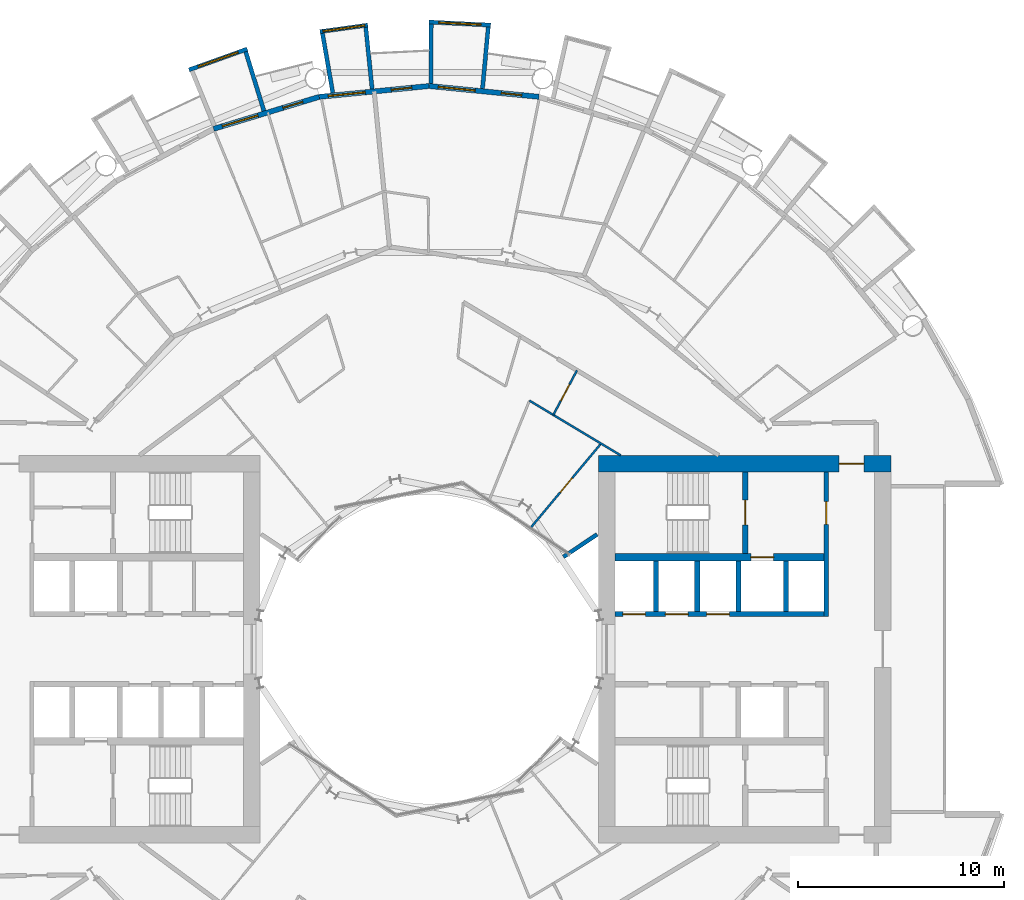
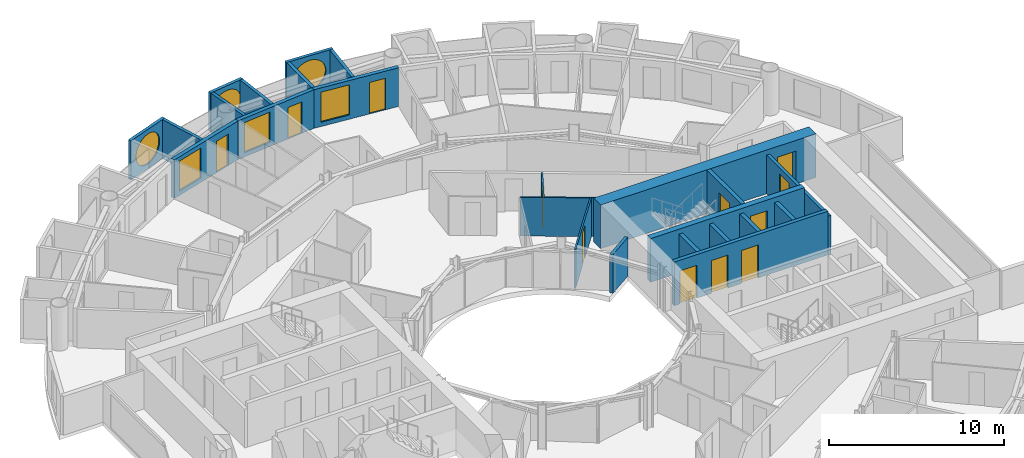
# One storey, part 20 of 26: 24 walls, 12 doors, 6 windows, 18 openings.
"""IFC4 building model written with IfcOpenShell, lengths in metres."""

from ifc_helpers import new_model, si_unit, direction, frame, frame_2d, origin, place, context, subcontext, project, spatial, rectangle, circle, extrude, material, layer, layer_set, type_object, element, fill, save


model = new_model("IFC4")

# Units and contexts
model_context = context("Model", 3, precision=1e-05, world=origin(), true_north=direction((0.0, 1.0)))
body_context = subcontext(model_context, "Body", "Model", "MODEL_VIEW")
ifc_project = project(units=[si_unit("LENGTHUNIT", "METRE"), si_unit("AREAUNIT", "SQUARE_METRE"), si_unit("VOLUMEUNIT", "CUBIC_METRE"), si_unit("PLANEANGLEUNIT", "RADIAN"), si_unit("MASSUNIT", "GRAM", prefix="KILO")], contexts=[model_context])

# Site, building, storey
site_placement = place(None, origin())
site = spatial("IfcSite", under=ifc_project, at=site_placement, CompositionType="ELEMENT")
building_placement = place(site_placement, origin())
building = spatial("IfcBuilding", under=site, at=building_placement, Name="Maasbend Ring Residences", CompositionType="ELEMENT")
storey_placement = place(building_placement, frame((0.0, 0.0, 50.25)))
storey = spatial("IfcBuildingStorey", under=building, at=storey_placement, Name="L14", CompositionType="ELEMENT", Elevation=50.25)

# Wall, openings, doors
ifc_material_1 = material(Name="Concrete C70/85", Category="concrete")
ifc_layer_1 = layer(ifc_material_1, 0.25)
ifc_layer_set_1 = layer_set([ifc_layer_1], Name="Concrete C70/85")
wall_type_1 = type_object("IfcWallType", Name="CORE WALL 250 C70/85", PredefinedType="SHEAR", material=ifc_layer_set_1)
wall_1_placement = place(storey_placement, frame((9.0, 1.699951171875, 0.0), z_axis=(0.0, 0.0, 1.0), x_axis=(1.0, 0.0, 0.0)))
wall_1 = element("IfcWall", 1, at=wall_1_placement, inside=storey, type_object=wall_type_1, Name="L14 core E wall SPN", PredefinedType="SHEAR", context=body_context, shape_type="SweptSolid", body=[
    extrude(rectangle(XDim=10.14990234375, YDim=0.25, at=frame_2d((5.074951171875, 0.0))), origin(), (0.0, 0.0, 1.0), 3.050048828125),
])
opening_1_placement = place(wall_1_placement, frame((0.387451171875, 0.0, 0.0)))
opening_1 = element("IfcOpeningElement", 2, at=opening_1_placement, cuts=wall_1, Name="Opening LD-E1401", PredefinedType="OPENING", context=body_context, shape_type="SweptSolid", body=[
    extrude(rectangle(XDim=1.10009765625, YDim=2.300048828125, at=frame_2d((0.550048828125, 1.14990234375))), frame((0.0, 0.135009765625, 0.0), z_axis=(0.0, -1.0, 0.0), x_axis=(1.0, 0.0, 0.0)), (0.0, 0.0, 1.0), 0.27001953125),
])
opening_2_placement = place(wall_1_placement, frame((2.449951171875, 0.0, 0.0)))
opening_2 = element("IfcOpeningElement", 3, at=opening_2_placement, cuts=wall_1, Name="Opening LD-E1402", PredefinedType="OPENING", context=body_context, shape_type="SweptSolid", body=[
    extrude(rectangle(XDim=1.10009765625, YDim=2.300048828125, at=frame_2d((0.550048828125, 1.14990234375))), frame((0.0, 0.135009765625, 0.0), z_axis=(0.0, -1.0, 0.0), x_axis=(1.0, 0.0, 0.0)), (0.0, 0.0, 1.0), 0.27001953125),
])
opening_3_placement = place(wall_1_placement, frame((4.449951171875, 0.0, 0.0)))
opening_3 = element("IfcOpeningElement", 4, at=opening_3_placement, cuts=wall_1, Name="Opening LD-E1403", PredefinedType="OPENING", context=body_context, shape_type="SweptSolid", body=[
    extrude(rectangle(XDim=1.10009765625, YDim=2.300048828125, at=frame_2d((0.550048828125, 1.14990234375))), frame((0.0, 0.135009765625, 0.0), z_axis=(0.0, -1.0, 0.0), x_axis=(1.0, 0.0, 0.0)), (0.0, 0.0, 1.0), 0.27001953125),
])
ifc_material_2 = material(Name="Stainless steel 316", Category="steel")
door_type_1 = type_object("IfcDoorType", Name="LANDING DOOR 1100 X 2300 FD60", OperationType="DOUBLE_DOOR_SLIDING", PredefinedType="DOOR", material=ifc_material_2)
door_1_placement = place(opening_1_placement, origin())
door_1 = element("IfcDoor", 5, at=door_1_placement, inside=storey, type_object=door_type_1, Name="Landing door LR-E1 L14", OperationType="DOUBLE_DOOR_SLIDING", OverallHeight=2.300048828125, OverallWidth=1.10009765625, PredefinedType="DOOR", context=body_context, shape_type="SweptSolid", body=[
    extrude(rectangle(XDim=1.10009765625, YDim=2.300048828125, at=frame_2d((0.550048828125, 1.14990234375))), frame((0.0, 0.02490234375, 0.0), z_axis=(0.0, -1.0, 0.0), x_axis=(1.0, 0.0, 0.0)), (0.0, 0.0, 1.0), 0.050048828125),
])
fill(opening_1, door_1)
door_2_placement = place(opening_2_placement, origin())
door_2 = element("IfcDoor", 6, at=door_2_placement, inside=storey, type_object=door_type_1, Name="Landing door LR-E2 L14", OperationType="DOUBLE_DOOR_SLIDING", OverallHeight=2.300048828125, OverallWidth=1.10009765625, PredefinedType="DOOR", context=body_context, shape_type="SweptSolid", body=[
    extrude(rectangle(XDim=1.10009765625, YDim=2.300048828125, at=frame_2d((0.550048828125, 1.14990234375))), frame((0.0, 0.02490234375, 0.0), z_axis=(0.0, -1.0, 0.0), x_axis=(1.0, 0.0, 0.0)), (0.0, 0.0, 1.0), 0.050048828125),
])
fill(opening_2, door_2)
door_3_placement = place(opening_3_placement, origin())
door_3 = element("IfcDoor", 7, at=door_3_placement, inside=storey, type_object=door_type_1, Name="Landing door LR-E3 L14", OperationType="DOUBLE_DOOR_SLIDING", OverallHeight=2.300048828125, OverallWidth=1.10009765625, PredefinedType="DOOR", context=body_context, shape_type="SweptSolid", body=[
    extrude(rectangle(XDim=1.10009765625, YDim=2.300048828125, at=frame_2d((0.550048828125, 1.14990234375))), frame((0.0, 0.02490234375, 0.0), z_axis=(0.0, -1.0, 0.0), x_axis=(1.0, 0.0, 0.0)), (0.0, 0.0, 1.0), 0.050048828125),
])
fill(opening_3, door_3)

# Wall, opening, door
wall_2_placement = place(storey_placement, frame((15.324951171875, 4.64990234375, 0.0), z_axis=(0.0, 0.0, 1.0), x_axis=(0.0, 1.0, 0.0)))
wall_2 = element("IfcWall", 8, at=wall_2_placement, inside=storey, type_object=wall_type_1, Name="L14 core E wall STEN", PredefinedType="SHEAR", context=body_context, shape_type="SweptSolid", body=[
    extrude(rectangle(XDim=3.9501953125, YDim=0.25, at=frame_2d((1.97509765625, 0.0))), origin(), (0.0, 0.0, 1.0), 3.050048828125),
])
opening_4_placement = place(wall_2_placement, frame((1.375, 0.0, 0.0)))
opening_4 = element("IfcOpeningElement", 9, at=opening_4_placement, cuts=wall_2, Name="Opening D-E1410", PredefinedType="OPENING", context=body_context, shape_type="SweptSolid", body=[
    extrude(rectangle(XDim=1.199951171875, YDim=2.300048828125, at=frame_2d((0.60009765625, 1.14990234375))), frame((0.0, 0.135009765625, 0.0), z_axis=(0.0, -1.0, 0.0), x_axis=(1.0, 0.0, 0.0)), (0.0, 0.0, 1.0), 0.27001953125),
])
ifc_material_3 = material(Name="Steel, powder coated", Category="steel")
door_type_2 = type_object("IfcDoorType", Name="STAIR DOOR 1200 X 2300 FD60", OperationType="NOTDEFINED", PredefinedType="DOOR", material=ifc_material_3)
door_4_placement = place(opening_4_placement, origin())
door_4 = element("IfcDoor", 10, at=door_4_placement, inside=storey, type_object=door_type_2, Name="Stair door ST-E L14", OperationType="SINGLE_SWING_LEFT", OverallHeight=2.300048828125, OverallWidth=1.199951171875, PredefinedType="DOOR", context=body_context, shape_type="SweptSolid", body=[
    extrude(rectangle(XDim=1.199951171875, YDim=2.300048828125, at=frame_2d((0.60009765625, 1.14990234375))), frame((0.0, 0.02490234375, 0.0), z_axis=(0.0, -1.0, 0.0), x_axis=(1.0, 0.0, 0.0)), (0.0, 0.0, 1.0), 0.050048828125),
])
fill(opening_4, door_4)

ifc_material_4 = material(Name="Concrete C70/85", Category="concrete")
ifc_layer_2 = layer(ifc_material_4, 0.375)
ifc_layer_set_2 = layer_set([ifc_layer_2], Name="Concrete C70/85")
wall_type_2 = type_object("IfcWallType", Name="CORE WALL 375 C70/85", PredefinedType="SHEAR", material=ifc_layer_set_2)
wall_3_placement = place(storey_placement, frame((9.0, 4.46240234375, 0.0), z_axis=(0.0, 0.0, 1.0), x_axis=(1.0, 0.0, 0.0)))
wall_3 = element("IfcWall", 11, at=wall_3_placement, inside=storey, type_object=wall_type_2, Name="L14 core E wall BN", PredefinedType="SHEAR", context=body_context, shape_type="SweptSolid", body=[
    extrude(rectangle(XDim=10.14990234375, YDim=0.375, at=frame_2d((5.074951171875, 0.0))), origin(), (0.0, 0.0, 1.0), 3.050048828125),
])
opening_5_placement = place(wall_3_placement, frame((6.60009765625, 0.0, 0.0)))
opening_5 = element("IfcOpeningElement", 12, at=opening_5_placement, cuts=wall_3, Name="Opening LD-E1404", PredefinedType="OPENING", context=body_context, shape_type="SweptSolid", body=[
    extrude(rectangle(XDim=1.10009765625, YDim=2.300048828125, at=frame_2d((0.550048828125, 1.14990234375))), frame((0.0, 0.197509765625, 0.0), z_axis=(0.0, -1.0, 0.0), x_axis=(1.0, 0.0, 0.0)), (0.0, 0.0, 1.0), 0.39501953125),
])
door_5_placement = place(opening_5_placement, origin())
door_5 = element("IfcDoor", 13, at=door_5_placement, inside=storey, type_object=door_type_1, Name="Landing door FF-E L14", OperationType="DOUBLE_DOOR_SLIDING", OverallHeight=2.300048828125, OverallWidth=1.10009765625, PredefinedType="DOOR", context=body_context, shape_type="SweptSolid", body=[
    extrude(rectangle(XDim=1.10009765625, YDim=2.300048828125, at=frame_2d((0.550048828125, 1.14990234375))), frame((0.0, 0.02490234375, 0.0), z_axis=(0.0, -1.0, 0.0), x_axis=(1.0, 0.0, 0.0)), (0.0, 0.0, 1.0), 0.050048828125),
])
fill(opening_5, door_5)

ifc_material_5 = material(Name="Concrete C70/85", Category="concrete")
ifc_layer_3 = layer(ifc_material_5, 0.800048828125)
ifc_layer_set_3 = layer_set([ifc_layer_3], Name="Concrete C70/85")
wall_type_3 = type_object("IfcWallType", Name="CORE WALL 800 C70/85", PredefinedType="SHEAR", material=ifc_layer_set_3)
wall_4_placement = place(storey_placement, frame((22.39990234375, 9.0, 0.0), z_axis=(0.0, 0.0, 1.0), x_axis=(-1.0, 0.0, 0.0)))
wall_4 = element("IfcWall", 14, at=wall_4_placement, inside=storey, type_object=wall_type_3, Name="L14 core E wall PN", PredefinedType="SHEAR", context=body_context, shape_type="SweptSolid", body=[
    extrude(rectangle(XDim=14.199951171875, YDim=0.800048828125, at=frame_2d((7.10009765625, 0.0))), origin(), (0.0, 0.0, 1.0), 3.050048828125),
])
opening_6_placement = place(wall_4_placement, frame((1.324951171875, 0.0, 0.0)))
opening_6 = element("IfcOpeningElement", 15, at=opening_6_placement, cuts=wall_4, Name="Opening D-E1414", PredefinedType="OPENING", context=body_context, shape_type="SweptSolid", body=[
    extrude(rectangle(XDim=1.199951171875, YDim=2.300048828125, at=frame_2d((0.60009765625, 1.14990234375))), frame((0.0, 0.41015625, 0.0), z_axis=(0.0, -1.0, 0.0), x_axis=(1.0, 0.0, 0.0)), (0.0, 0.0, 1.0), 0.820068359375),
])
ifc_material_6 = material(Name="Steel, powder coated", Category="steel")
door_type_3 = type_object("IfcDoorType", Name="CORRIDOR DOOR 1200 X 2300 FD30S", OperationType="NOTDEFINED", PredefinedType="DOOR", material=ifc_material_6)
door_6_placement = place(opening_6_placement, origin())
door_6 = element("IfcDoor", 16, at=door_6_placement, inside=storey, type_object=door_type_3, Name="Corridor door L14", OperationType="SINGLE_SWING_RIGHT", OverallHeight=2.300048828125, OverallWidth=1.199951171875, PredefinedType="DOOR", context=body_context, shape_type="SweptSolid", body=[
    extrude(rectangle(XDim=1.199951171875, YDim=2.300048828125, at=frame_2d((0.60009765625, 1.14990234375))), frame((0.0, 0.02490234375, 0.0), z_axis=(0.0, -1.0, 0.0), x_axis=(1.0, 0.0, 0.0)), (0.0, 0.0, 1.0), 0.050048828125),
])
fill(opening_6, door_6)

# Wall, opening, window
ifc_material_7 = material(Name="Pale anodised aluminium panel", Category="aluminium")
ifc_layer_4 = layer(ifc_material_7, 0.199951171875)
ifc_layer_set_4 = layer_set([ifc_layer_4], Name="EW-BOX")
wall_type_4 = type_object("IfcWallType", Name="EW-BOX", PredefinedType="SOLIDWALL", material=ifc_layer_set_4)
wall_5_placement = place(storey_placement, frame((2.985107421875, 30.2529296875, -0.030029296875), z_axis=(0.0, 0.0, 1.0), x_axis=(-0.998794083011, 0.049095618353, 0.0)))
wall_5 = element("IfcWall", 17, at=wall_5_placement, inside=storey, type_object=wall_type_4, Name="Box front N10", PredefinedType="SOLIDWALL", context=body_context, shape_type="SweptSolid", body=[
    extrude(rectangle(XDim=2.99365234375, YDim=0.199951171875, at=frame_2d((1.496826171875, 0.0))), origin(), (0.0, 0.0, 1.0), 2.72998046875),
])
opening_7_placement = place(wall_5_placement, frame((0.45654296875, 0.0, 0.330078125)))
opening_7 = element("IfcOpeningElement", 18, at=opening_7_placement, cuts=wall_5, Name="Opening W-RD", PredefinedType="OPENING", context=body_context, shape_type="SweptSolid", body=[
    extrude(circle(Radius=1.0400390625, at=frame_2d((1.0400390625, 1.0400390625))), frame((0.0, 0.10986328125, 0.0), z_axis=(0.0, -1.0, 0.0), x_axis=(1.0, 0.0, 0.0)), (0.0, 0.0, 1.0), 0.219970703125),
])
ifc_material_8 = material(Name="Aluminium and clear glass", Category="aluminium")
window_type_1 = type_object("IfcWindowType", Name="W-RD", PartitioningType="SINGLE_PANEL", PredefinedType="WINDOW", material=ifc_material_8)
window_1_placement = place(opening_7_placement, origin())
window_1 = element("IfcWindow", 19, at=window_1_placement, inside=storey, type_object=window_type_1, Name="Round window N10", OverallHeight=2.080078125, OverallWidth=2.080078125, PartitioningType="SINGLE_PANEL", PredefinedType="WINDOW", context=body_context, shape_type="SweptSolid", body=[
    extrude(circle(Radius=1.0400390625, at=frame_2d((1.0400390625, 1.0400390625))), frame((0.0, 0.030029296875, 0.0), z_axis=(0.0, -1.0, 0.0), x_axis=(1.0, 0.0, 0.0)), (0.0, 0.0, 1.0), 0.06005859375),
])
fill(opening_7, window_1)

# Walls
wall_6_placement = place(storey_placement, frame((2.5859375, 27.1708984375, -0.030029296875), z_axis=(0.0, 0.0, 1.0), x_axis=(0.094548432284, 0.995520262954, 0.0)))
element("IfcWall", 20, at=wall_6_placement, inside=storey, type_object=wall_type_4, Name="Box side wall N10 left", PredefinedType="SOLIDWALL", context=body_context, shape_type="SweptSolid", body=[
    extrude(rectangle(XDim=3.005615234375, YDim=0.199951171875, at=frame_2d((1.5029296875, 0.0))), origin(), (0.0, 0.0, 1.0), 2.72998046875),
])
wall_7_placement = place(storey_placement, frame((0.090087890625, 27.4169921875, -0.030029296875), z_axis=(0.0, 0.0, 1.0), x_axis=(0.00347308367, 0.999993968827, 0.0)))
element("IfcWall", 21, at=wall_7_placement, inside=storey, type_object=wall_type_4, Name="Box side wall N10 right", PredefinedType="SOLIDWALL", context=body_context, shape_type="SweptSolid", body=[
    extrude(rectangle(XDim=2.882080078125, YDim=0.199951171875, at=frame_2d((1.44091796875, 0.0))), origin(), (0.0, 0.0, 1.0), 2.72998046875),
])

# Wall, opening, window
wall_8_placement = place(storey_placement, frame((-2.97607421875, 30.25390625, -0.030029296875), z_axis=(0.0, 0.0, 1.0), x_axis=(-0.990696111261, -0.136092671119, 0.0)))
wall_8 = element("IfcWall", 22, at=wall_8_placement, inside=storey, type_object=wall_type_4, Name="Box front N12", PredefinedType="SOLIDWALL", context=body_context, shape_type="SweptSolid", body=[
    extrude(rectangle(XDim=2.335693359375, YDim=0.199951171875, at=frame_2d((1.16796875, 0.0))), origin(), (0.0, 0.0, 1.0), 2.72998046875),
])
opening_8_placement = place(wall_8_placement, frame((0.128173828125, 0.0, 0.330078125)))
opening_8 = element("IfcOpeningElement", 23, at=opening_8_placement, cuts=wall_8, Name="Opening W-RD", PredefinedType="OPENING", context=body_context, shape_type="SweptSolid", body=[
    extrude(circle(Radius=1.0400390625, at=frame_2d((1.0400390625, 1.0400390625))), frame((0.0, 0.10986328125, 0.0), z_axis=(0.0, -1.0, 0.0), x_axis=(1.0, 0.0, 0.0)), (0.0, 0.0, 1.0), 0.219970703125),
])
window_2_placement = place(opening_8_placement, origin())
window_2 = element("IfcWindow", 24, at=window_2_placement, inside=storey, type_object=window_type_1, Name="Round window N12", OverallHeight=2.080078125, OverallWidth=2.080078125, PartitioningType="SINGLE_PANEL", PredefinedType="WINDOW", context=body_context, shape_type="SweptSolid", body=[
    extrude(circle(Radius=1.0400390625, at=frame_2d((1.0400390625, 1.0400390625))), frame((0.0, 0.030029296875, 0.0), z_axis=(0.0, -1.0, 0.0), x_axis=(1.0, 0.0, 0.0)), (0.0, 0.0, 1.0), 0.06005859375),
])
fill(opening_8, window_2)

# Walls
wall_9_placement = place(storey_placement, frame((-2.763916015625, 27.153076171875, -0.030029296875), z_axis=(0.0, 0.0, 1.0), x_axis=(-0.101505487237, 0.994834979311, 0.0)))
element("IfcWall", 25, at=wall_9_placement, inside=storey, type_object=wall_type_4, Name="Box side wall N12 left", PredefinedType="SOLIDWALL", context=body_context, shape_type="SweptSolid", body=[
    extrude(rectangle(XDim=3.006591796875, YDim=0.199951171875, at=frame_2d((1.50341796875, 0.0))), origin(), (0.0, 0.0, 1.0), 2.72998046875),
])
wall_10_placement = place(storey_placement, frame((-4.6708984375, 26.966064453125, -0.030029296875), z_axis=(0.0, 0.0, 1.0), x_axis=(-0.170539878907, 0.985350774954, 0.0)))
element("IfcWall", 26, at=wall_10_placement, inside=storey, type_object=wall_type_4, Name="Box side wall N12 right", PredefinedType="SOLIDWALL", context=body_context, shape_type="SweptSolid", body=[
    extrude(rectangle(XDim=2.931884765625, YDim=0.199951171875, at=frame_2d((1.4658203125, 0.0))), origin(), (0.0, 0.0, 1.0), 2.72998046875),
])

# Wall, opening, window
wall_11_placement = place(storey_placement, frame((-8.820068359375, 29.093017578125, -0.030029296875), z_axis=(0.0, 0.0, 1.0), x_axis=(-0.941461077774, -0.337121697664, 0.0)))
wall_11 = element("IfcWall", 27, at=wall_11_placement, inside=storey, type_object=wall_type_4, Name="Box front N14", PredefinedType="SOLIDWALL", context=body_context, shape_type="SweptSolid", body=[
    extrude(rectangle(XDim=2.9931640625, YDim=0.199951171875, at=frame_2d((1.49658203125, 0.0))), origin(), (0.0, 0.0, 1.0), 2.72998046875),
])
opening_9_placement = place(wall_11_placement, frame((0.45654296875, 0.0, 0.330078125)))
opening_9 = element("IfcOpeningElement", 28, at=opening_9_placement, cuts=wall_11, Name="Opening W-RD", PredefinedType="OPENING", context=body_context, shape_type="SweptSolid", body=[
    extrude(circle(Radius=1.0400390625, at=frame_2d((1.0400390625, 1.0400390625))), frame((0.0, 0.10986328125, 0.0), z_axis=(0.0, -1.0, 0.0), x_axis=(1.0, 0.0, 0.0)), (0.0, 0.0, 1.0), 0.219970703125),
])
window_3_placement = place(opening_9_placement, origin())
window_3 = element("IfcWindow", 29, at=window_3_placement, inside=storey, type_object=window_type_1, Name="Round window N14", OverallHeight=2.080078125, OverallWidth=2.080078125, PartitioningType="SINGLE_PANEL", PredefinedType="WINDOW", context=body_context, shape_type="SweptSolid", body=[
    extrude(circle(Radius=1.0400390625, at=frame_2d((1.0400390625, 1.0400390625))), frame((0.0, 0.030029296875, 0.0), z_axis=(0.0, -1.0, 0.0), x_axis=(1.0, 0.0, 0.0)), (0.0, 0.0, 1.0), 0.06005859375),
])
fill(opening_9, window_3)

# Wall
wall_12_placement = place(storey_placement, frame((-8.009033203125, 26.092041015625, -0.030029296875), z_axis=(0.0, 0.0, 1.0), x_axis=(-0.293406695073, 0.955987715029, 0.0)))
element("IfcWall", 30, at=wall_12_placement, inside=storey, type_object=wall_type_4, Name="Box side wall N14 left", PredefinedType="SOLIDWALL", context=body_context, shape_type="SweptSolid", body=[
    extrude(rectangle(XDim=3.00634765625, YDim=0.199951171875, at=frame_2d((1.503173828125, 0.0))), origin(), (0.0, 0.0, 1.0), 2.72998046875),
])

# Wall, openings, door, window
ifc_material_9 = material(Name="Aluminium clad insulated panel", Category="aluminium")
ifc_layer_5 = layer(ifc_material_9, 0.25)
ifc_layer_set_5 = layer_set([ifc_layer_5], Name="EW-GL")
wall_type_5 = type_object("IfcWallType", Name="EW-GL", PredefinedType="SOLIDWALL", material=ifc_layer_set_5)
wall_13_placement = place(storey_placement, frame((5.325927734375, 26.77490234375, 0.0), z_axis=(0.0, 0.0, 1.0), x_axis=(-0.995173996315, 0.098126026407, 0.0)))
wall_13 = element("IfcWall", 31, at=wall_13_placement, inside=storey, type_object=wall_type_5, Name="External wall N05", PredefinedType="SOLIDWALL", context=body_context, shape_type="SweptSolid", body=[
    extrude(rectangle(XDim=5.351806640625, YDim=0.25, at=frame_2d((2.67578125, 0.0))), origin(), (0.0, 0.0, 1.0), 2.699951171875),
])
opening_10_placement = place(wall_13_placement, frame((0.841064453125, 0.0, 0.0)))
opening_10 = element("IfcOpeningElement", 32, at=opening_10_placement, cuts=wall_13, Name="Opening D-LG", PredefinedType="OPENING", context=body_context, shape_type="SweptSolid", body=[
    extrude(rectangle(XDim=1.0, YDim=2.199951171875, at=frame_2d((0.5, 1.10009765625))), frame((0.0, 0.135009765625, 0.0), z_axis=(0.0, -1.0, 0.0), x_axis=(1.0, 0.0, 0.0)), (0.0, 0.0, 1.0), 0.27001953125),
])
opening_11_placement = place(wall_13_placement, frame((3.110595703125, 0.0, 0.300048828125)))
opening_11 = element("IfcOpeningElement", 33, at=opening_11_placement, cuts=wall_13, Name="Opening W-BX", PredefinedType="OPENING", context=body_context, shape_type="SweptSolid", body=[
    extrude(rectangle(XDim=1.800048828125, YDim=2.10009765625, at=frame_2d((0.89990234375, 1.050048828125))), frame((0.0, 0.135009765625, 0.0), z_axis=(0.0, -1.0, 0.0), x_axis=(1.0, 0.0, 0.0)), (0.0, 0.0, 1.0), 0.27001953125),
])
ifc_material_10 = material(Name="Aluminium and clear glass", Category="aluminium")
door_type_4 = type_object("IfcDoorType", Name="D-LG", OperationType="SINGLE_SWING_LEFT", PredefinedType="DOOR", material=ifc_material_10)
door_7_placement = place(opening_10_placement, origin())
door_7 = element("IfcDoor", 34, at=door_7_placement, inside=storey, type_object=door_type_4, Name="Loggia door N09", OperationType="SINGLE_SWING_LEFT", OverallHeight=2.199951171875, OverallWidth=1.0, PredefinedType="DOOR", context=body_context, shape_type="SweptSolid", body=[
    extrude(rectangle(XDim=1.0, YDim=2.199951171875, at=frame_2d((0.5, 1.10009765625))), frame((0.0, 0.02490234375, 0.0), z_axis=(0.0, -1.0, 0.0), x_axis=(1.0, 0.0, 0.0)), (0.0, 0.0, 1.0), 0.050048828125),
])
fill(opening_10, door_7)
ifc_material_11 = material(Name="Aluminium and clear glass", Category="aluminium")
window_type_2 = type_object("IfcWindowType", Name="W-BX", PartitioningType="DOUBLE_PANEL_VERTICAL", PredefinedType="WINDOW", material=ifc_material_11)
window_4_placement = place(opening_11_placement, origin())
window_4 = element("IfcWindow", 35, at=window_4_placement, inside=storey, type_object=window_type_2, Name="Window N10 room to box", OverallHeight=2.10009765625, OverallWidth=1.800048828125, PartitioningType="SINGLE_PANEL", PredefinedType="WINDOW", context=body_context, shape_type="SweptSolid", body=[
    extrude(rectangle(XDim=1.800048828125, YDim=2.10009765625, at=frame_2d((0.89990234375, 1.050048828125))), frame((0.0, 0.030029296875, 0.0), z_axis=(0.0, -1.0, 0.0), x_axis=(1.0, 0.0, 0.0)), (0.0, 0.0, 1.0), 0.06005859375),
])
fill(opening_11, window_4)

wall_14_placement = place(storey_placement, frame((0.0, 27.300048828125, 0.0), z_axis=(0.0, 0.0, 1.0), x_axis=(-0.995173996315, -0.098126026407, 0.0)))
wall_14 = element("IfcWall", 36, at=wall_14_placement, inside=storey, type_object=wall_type_5, Name="External wall N06", PredefinedType="SOLIDWALL", context=body_context, shape_type="SweptSolid", body=[
    extrude(rectangle(XDim=5.351806640625, YDim=0.25, at=frame_2d((2.67578125, 0.0))), origin(), (0.0, 0.0, 1.0), 2.699951171875),
])
opening_12_placement = place(wall_14_placement, frame((0.841064453125, 0.0, 0.0)))
opening_12 = element("IfcOpeningElement", 37, at=opening_12_placement, cuts=wall_14, Name="Opening D-LG", PredefinedType="OPENING", context=body_context, shape_type="SweptSolid", body=[
    extrude(rectangle(XDim=1.0, YDim=2.199951171875, at=frame_2d((0.5, 1.10009765625))), frame((0.0, 0.135009765625, 0.0), z_axis=(0.0, -1.0, 0.0), x_axis=(1.0, 0.0, 0.0)), (0.0, 0.0, 1.0), 0.27001953125),
])
opening_13_placement = place(wall_14_placement, frame((3.110595703125, 0.0, 0.300048828125)))
opening_13 = element("IfcOpeningElement", 38, at=opening_13_placement, cuts=wall_14, Name="Opening W-BX", PredefinedType="OPENING", context=body_context, shape_type="SweptSolid", body=[
    extrude(rectangle(XDim=1.800048828125, YDim=2.10009765625, at=frame_2d((0.89990234375, 1.050048828125))), frame((0.0, 0.135009765625, 0.0), z_axis=(0.0, -1.0, 0.0), x_axis=(1.0, 0.0, 0.0)), (0.0, 0.0, 1.0), 0.27001953125),
])
door_8_placement = place(opening_12_placement, origin())
door_8 = element("IfcDoor", 39, at=door_8_placement, inside=storey, type_object=door_type_4, Name="Loggia door N11", OperationType="SINGLE_SWING_LEFT", OverallHeight=2.199951171875, OverallWidth=1.0, PredefinedType="DOOR", context=body_context, shape_type="SweptSolid", body=[
    extrude(rectangle(XDim=1.0, YDim=2.199951171875, at=frame_2d((0.5, 1.10009765625))), frame((0.0, 0.02490234375, 0.0), z_axis=(0.0, -1.0, 0.0), x_axis=(1.0, 0.0, 0.0)), (0.0, 0.0, 1.0), 0.050048828125),
])
fill(opening_12, door_8)
window_5_placement = place(opening_13_placement, origin())
window_5 = element("IfcWindow", 40, at=window_5_placement, inside=storey, type_object=window_type_2, Name="Window N12 room to box", OverallHeight=2.10009765625, OverallWidth=1.800048828125, PartitioningType="SINGLE_PANEL", PredefinedType="WINDOW", context=body_context, shape_type="SweptSolid", body=[
    extrude(rectangle(XDim=1.800048828125, YDim=2.10009765625, at=frame_2d((0.89990234375, 1.050048828125))), frame((0.0, 0.030029296875, 0.0), z_axis=(0.0, -1.0, 0.0), x_axis=(1.0, 0.0, 0.0)), (0.0, 0.0, 1.0), 0.06005859375),
])
fill(opening_13, window_5)

wall_15_placement = place(storey_placement, frame((-5.325927734375, 26.77490234375, 0.0), z_axis=(0.0, 0.0, 1.0), x_axis=(-0.956965678721, -0.290201119486, 0.0)))
wall_15 = element("IfcWall", 41, at=wall_15_placement, inside=storey, type_object=wall_type_5, Name="External wall N07", PredefinedType="SOLIDWALL", context=body_context, shape_type="SweptSolid", body=[
    extrude(rectangle(XDim=5.351318359375, YDim=0.25, at=frame_2d((2.67578125, 0.0))), origin(), (0.0, 0.0, 1.0), 2.699951171875),
])
opening_14_placement = place(wall_15_placement, frame((0.841064453125, 0.0, 0.0)))
opening_14 = element("IfcOpeningElement", 42, at=opening_14_placement, cuts=wall_15, Name="Opening D-LG", PredefinedType="OPENING", context=body_context, shape_type="SweptSolid", body=[
    extrude(rectangle(XDim=1.0, YDim=2.199951171875, at=frame_2d((0.5, 1.10009765625))), frame((0.0, 0.135009765625, 0.0), z_axis=(0.0, -1.0, 0.0), x_axis=(1.0, 0.0, 0.0)), (0.0, 0.0, 1.0), 0.27001953125),
])
opening_15_placement = place(wall_15_placement, frame((3.110595703125, 0.0, 0.300048828125)))
opening_15 = element("IfcOpeningElement", 43, at=opening_15_placement, cuts=wall_15, Name="Opening W-BX", PredefinedType="OPENING", context=body_context, shape_type="SweptSolid", body=[
    extrude(rectangle(XDim=1.800048828125, YDim=2.10009765625, at=frame_2d((0.89990234375, 1.050048828125))), frame((0.0, 0.135009765625, 0.0), z_axis=(0.0, -1.0, 0.0), x_axis=(1.0, 0.0, 0.0)), (0.0, 0.0, 1.0), 0.27001953125),
])
door_9_placement = place(opening_14_placement, origin())
door_9 = element("IfcDoor", 44, at=door_9_placement, inside=storey, type_object=door_type_4, Name="Loggia door N13", OperationType="SINGLE_SWING_LEFT", OverallHeight=2.199951171875, OverallWidth=1.0, PredefinedType="DOOR", context=body_context, shape_type="SweptSolid", body=[
    extrude(rectangle(XDim=1.0, YDim=2.199951171875, at=frame_2d((0.5, 1.10009765625))), frame((0.0, 0.02490234375, 0.0), z_axis=(0.0, -1.0, 0.0), x_axis=(1.0, 0.0, 0.0)), (0.0, 0.0, 1.0), 0.050048828125),
])
fill(opening_14, door_9)
window_6_placement = place(opening_15_placement, origin())
window_6 = element("IfcWindow", 45, at=window_6_placement, inside=storey, type_object=window_type_2, Name="Window N14 room to box", OverallHeight=2.10009765625, OverallWidth=1.800048828125, PartitioningType="SINGLE_PANEL", PredefinedType="WINDOW", context=body_context, shape_type="SweptSolid", body=[
    extrude(rectangle(XDim=1.800048828125, YDim=2.10009765625, at=frame_2d((0.89990234375, 1.050048828125))), frame((0.0, 0.030029296875, 0.0), z_axis=(0.0, -1.0, 0.0), x_axis=(1.0, 0.0, 0.0)), (0.0, 0.0, 1.0), 0.06005859375),
])
fill(opening_15, window_6)

# Wall, opening, door
ifc_material_12 = material(Name="Gypsum board on steel studs", Category="steel")
ifc_layer_6 = layer(ifc_material_12, 0.10009765625)
ifc_layer_set_6 = layer_set([ifc_layer_6], Name="PARTITION 100 GYPSUM")
wall_type_6 = type_object("IfcWallType", Name="PARTITION 100 GYPSUM", PredefinedType="PARTITIONING", material=ifc_layer_set_6)
wall_16_placement = place(storey_placement, frame((4.951904296875, 5.923095703125, 0.0), z_axis=(0.0, 0.0, 1.0), x_axis=(0.641376424834, 0.767226356213, 0.0)))
wall_16 = element("IfcWall", 46, at=wall_16_placement, inside=storey, type_object=wall_type_6, Name="U-L14-w064", PredefinedType="PARTITIONING", context=body_context, shape_type="SweptSolid", body=[
    extrude(rectangle(XDim=5.274658203125, YDim=0.10009765625, at=frame_2d((2.63720703125, 0.0))), origin(), (0.0, 0.0, 1.0), 2.699951171875),
])
opening_16_placement = place(wall_16_placement, frame((2.18701171875, 0.0, 0.0)))
opening_16 = element("IfcOpeningElement", 47, at=opening_16_placement, cuts=wall_16, Name="Opening D-1425", PredefinedType="OPENING", context=body_context, shape_type="SweptSolid", body=[
    extrude(rectangle(XDim=0.89990234375, YDim=2.300048828125, at=frame_2d((0.449951171875, 1.14990234375))), frame((0.0, 0.06005859375, 0.0), z_axis=(0.0, -1.0, 0.0), x_axis=(1.0, 0.0, 0.0)), (0.0, 0.0, 1.0), 0.1201171875),
])
ifc_material_13 = material(Name="Timber, painted", Category="wood")
door_type_5 = type_object("IfcDoorType", Name="INTERNAL DOOR 900 X 2300", OperationType="NOTDEFINED", PredefinedType="DOOR", material=ifc_material_13)
door_10_placement = place(opening_16_placement, origin())
door_10 = element("IfcDoor", 48, at=door_10_placement, inside=storey, type_object=door_type_5, Name="D-1425", OperationType="SINGLE_SWING_RIGHT", OverallHeight=2.300048828125, OverallWidth=0.89990234375, PredefinedType="DOOR", context=body_context, shape_type="SweptSolid", body=[
    extrude(rectangle(XDim=0.89990234375, YDim=2.300048828125, at=frame_2d((0.449951171875, 1.14990234375))), frame((0.0, 0.02490234375, 0.0), z_axis=(0.0, -1.0, 0.0), x_axis=(1.0, 0.0, 0.0)), (0.0, 0.0, 1.0), 0.050048828125),
])
fill(opening_16, door_10)

wall_17_placement = place(storey_placement, frame((6.02099609375, 11.35693359375, 0.0), z_axis=(0.0, 0.0, 1.0), x_axis=(0.468337293896, 0.883549760425, 0.0)))
wall_17 = element("IfcWall", 49, at=wall_17_placement, inside=storey, type_object=wall_type_6, Name="U-L14-w067", PredefinedType="PARTITIONING", context=body_context, shape_type="SweptSolid", body=[
    extrude(rectangle(XDim=2.44482421875, YDim=0.10009765625, at=frame_2d((1.222412109375, 0.0))), origin(), (0.0, 0.0, 1.0), 2.699951171875),
])
opening_17_placement = place(wall_17_placement, frame((0.77197265625, 0.0, 0.0)))
opening_17 = element("IfcOpeningElement", 50, at=opening_17_placement, cuts=wall_17, Name="Opening D-1423", PredefinedType="OPENING", context=body_context, shape_type="SweptSolid", body=[
    extrude(rectangle(XDim=0.89990234375, YDim=2.300048828125, at=frame_2d((0.449951171875, 1.14990234375))), frame((0.0, 0.06005859375, 0.0), z_axis=(0.0, -1.0, 0.0), x_axis=(1.0, 0.0, 0.0)), (0.0, 0.0, 1.0), 0.1201171875),
])
door_11_placement = place(opening_17_placement, origin())
door_11 = element("IfcDoor", 51, at=door_11_placement, inside=storey, type_object=door_type_5, Name="D-1423", OperationType="SINGLE_SWING_RIGHT", OverallHeight=2.300048828125, OverallWidth=0.89990234375, PredefinedType="DOOR", context=body_context, shape_type="SweptSolid", body=[
    extrude(rectangle(XDim=0.89990234375, YDim=2.300048828125, at=frame_2d((0.449951171875, 1.14990234375))), frame((0.0, 0.02490234375, 0.0), z_axis=(0.0, -1.0, 0.0), x_axis=(1.0, 0.0, 0.0)), (0.0, 0.0, 1.0), 0.050048828125),
])
fill(opening_17, door_11)

# Walls
wall_18_placement = place(storey_placement, frame((4.863037109375, 12.050048828125, 0.0), z_axis=(0.0, 0.0, 1.0), x_axis=(0.857576410704, -0.51435658818, 0.0)))
element("IfcWall", 52, at=wall_18_placement, inside=storey, type_object=wall_type_6, Name="U-L14-w087", PredefinedType="PARTITIONING", context=body_context, shape_type="SweptSolid", body=[
    extrude(rectangle(XDim=5.159912109375, YDim=0.10009765625, at=frame_2d((2.580078125, 0.0))), origin(), (0.0, 0.0, 1.0), 2.699951171875),
])
ifc_material_14 = material(Name="Concrete C30/37", Category="concrete")
ifc_layer_7 = layer(ifc_material_14, 0.199951171875)
ifc_layer_set_7 = layer_set([ifc_layer_7], Name="Concrete C30/37")
wall_type_7 = type_object("IfcWallType", Name="PARTY WALL 200 CONCRETE", PredefinedType="PARTITIONING", material=ifc_layer_set_7)
wall_19_placement = place(storey_placement, frame((6.512939453125, 4.471923828125, 0.0), z_axis=(0.0, 0.0, 1.0), x_axis=(0.831417956244, 0.555647533996, 0.0)))
element("IfcWall", 53, at=wall_19_placement, inside=storey, type_object=wall_type_7, Name="U-L14-w083", PredefinedType="PARTITIONING", context=body_context, shape_type="SweptSolid", body=[
    extrude(rectangle(XDim=1.9619140625, YDim=0.199951171875, at=frame_2d((0.98095703125, 0.0))), origin(), (0.0, 0.0, 1.0), 2.699951171875),
])

# Wall, opening, door
ifc_material_15 = material(Name="Concrete C30/37", Category="concrete")
ifc_layer_8 = layer(ifc_material_15, 0.199951171875)
ifc_layer_set_8 = layer_set([ifc_layer_8], Name="Concrete C30/37")
wall_type_8 = type_object("IfcWallType", Name="SHAFT WALL 200 EI 120", PredefinedType="SOLIDWALL", material=ifc_layer_set_8)
wall_20_placement = place(storey_placement, frame((19.25, 1.574951171875, 0.0), z_axis=(0.0, 0.0, 1.0), x_axis=(0.0, 1.0, 0.0)))
wall_20 = element("IfcWall", 54, at=wall_20_placement, inside=storey, type_object=wall_type_8, Name="L14 core E wall ENDN", PredefinedType="SOLIDWALL", context=body_context, shape_type="SweptSolid", body=[
    extrude(rectangle(XDim=7.025146484375, YDim=0.199951171875, at=frame_2d((3.5126953125, 0.0))), origin(), (0.0, 0.0, 1.0), 2.699951171875),
])
opening_18_placement = place(wall_20_placement, frame((4.47509765625, 0.0, 0.0)))
opening_18 = element("IfcOpeningElement", 55, at=opening_18_placement, cuts=wall_20, Name="Opening D-E1412", PredefinedType="OPENING", context=body_context, shape_type="SweptSolid", body=[
    extrude(rectangle(XDim=1.10009765625, YDim=2.300048828125, at=frame_2d((0.550048828125, 1.14990234375))), frame((0.0, 0.10986328125, 0.0), z_axis=(0.0, -1.0, 0.0), x_axis=(1.0, 0.0, 0.0)), (0.0, 0.0, 1.0), 0.219970703125),
])
ifc_material_16 = material(Name="Steel, powder coated", Category="steel")
door_type_6 = type_object("IfcDoorType", Name="LOBBY DOOR 1100 X 2300 FD60", OperationType="NOTDEFINED", PredefinedType="DOOR", material=ifc_material_16)
door_12_placement = place(opening_18_placement, origin())
door_12 = element("IfcDoor", 56, at=door_12_placement, inside=storey, type_object=door_type_6, Name="Lobby door L14", OperationType="SINGLE_SWING_LEFT", OverallHeight=2.300048828125, OverallWidth=1.10009765625, PredefinedType="DOOR", context=body_context, shape_type="SweptSolid", body=[
    extrude(rectangle(XDim=1.10009765625, YDim=2.300048828125, at=frame_2d((0.550048828125, 1.14990234375))), frame((0.0, 0.02490234375, 0.0), z_axis=(0.0, -1.0, 0.0), x_axis=(1.0, 0.0, 0.0)), (0.0, 0.0, 1.0), 0.050048828125),
])
fill(opening_18, door_12)

# Walls
ifc_material_17 = material(Name="Concrete C30/37", Category="concrete")
ifc_layer_9 = layer(ifc_material_17, 0.25)
ifc_layer_set_9 = layer_set([ifc_layer_9], Name="Concrete C30/37")
wall_type_9 = type_object("IfcWallType", Name="SHAFT WALL 250 EI 120", PredefinedType="SOLIDWALL", material=ifc_layer_set_9)
for number, where, z_axis, x_axis, name in (
    (57, (15.0, 1.824951171875, 0.0), (0.0, 0.0, 1.0), (0.0, 1.0, 0.0), "L14 core E wall D150N"),
    (58, (17.300048828125, 1.824951171875, 0.0), (0.0, 0.0, 1.0), (0.0, 1.0, 0.0), "L14 core E wall D173N"),
    (59, (11.0, 1.824951171875, 0.0), (0.0, 0.0, 1.0), (0.0, 1.0, 0.0), "L14 core E wall D110N"),
    (60, (13.0, 1.824951171875, 0.0), (0.0, 0.0, 1.0), (0.0, 1.0, 0.0), "L14 core E wall D130N"),
):
    element("IfcWall", number, at=place(storey_placement, frame(where, z_axis=z_axis, x_axis=x_axis)), inside=storey, type_object=wall_type_9, Name=name, PredefinedType="SOLIDWALL", context=body_context, shape_type="SweptSolid", body=[
        extrude(rectangle(XDim=2.449951171875, YDim=0.25, at=frame_2d((1.22509765625, 0.0))), origin(), (0.0, 0.0, 1.0), 2.699951171875),
    ])

save(model, "model.ifc")
